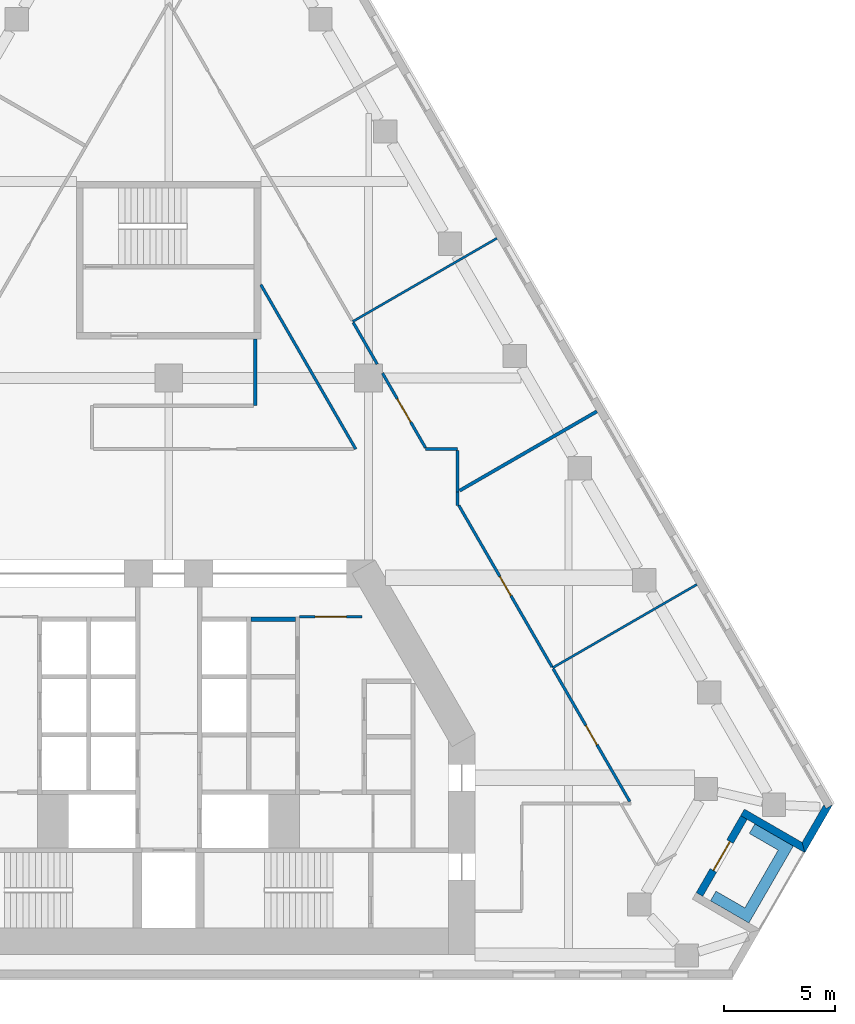
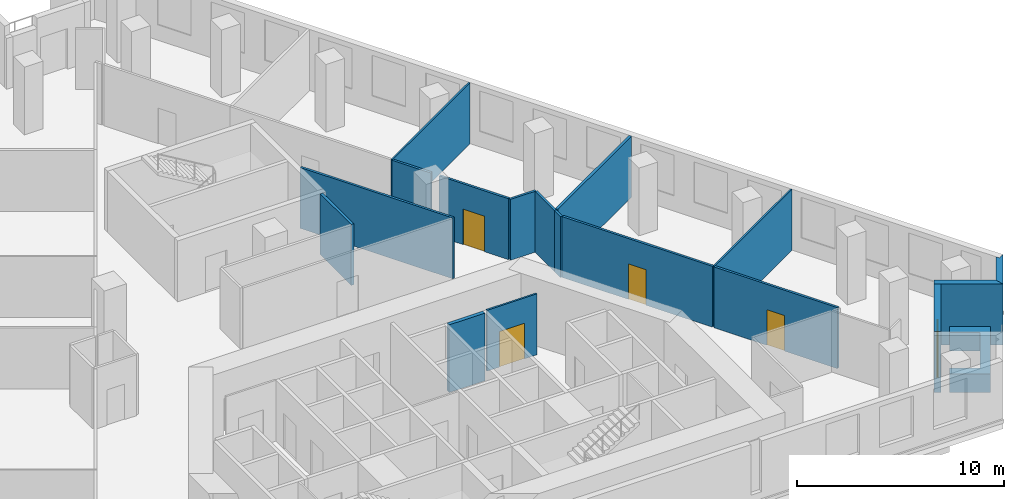
# One storey, part 7 of 10: 18 walls, 5 doors, 5 openings.
"""IFC4 building model written with IfcOpenShell, lengths in metres."""

from ifc_helpers import new_model, si_unit, direction, frame, frame_2d, origin, place, context, subcontext, project, spatial, polyline, rectangle, outline, extrude, material, layer, layer_set, type_object, element, fill, save


model = new_model("IFC4")

# Units and contexts
model_context = context("Model", 3, precision=1e-05, world=origin(), true_north=direction((0.0, 1.0)))
body_context = subcontext(model_context, "Body", "Model", "MODEL_VIEW")
ifc_project = project(units=[si_unit("LENGTHUNIT", "METRE"), si_unit("AREAUNIT", "SQUARE_METRE"), si_unit("VOLUMEUNIT", "CUBIC_METRE"), si_unit("PLANEANGLEUNIT", "RADIAN"), si_unit("MASSUNIT", "GRAM", prefix="KILO")], contexts=[model_context])

# Site, building, storey
site_placement = place(None, origin())
site = spatial("IfcSite", under=ifc_project, at=site_placement, CompositionType="ELEMENT")
building_placement = place(site_placement, origin())
building = spatial("IfcBuilding", under=site, at=building_placement, Name="Fogline Exchange Tower", CompositionType="ELEMENT")
storey_placement = place(building_placement, frame((0.0, 0.0, 120.10009765625)))
storey = spatial("IfcBuildingStorey", under=building, at=storey_placement, Name="L26", CompositionType="ELEMENT", Elevation=120.10009765625)

# Wall, opening, door
ifc_material_1 = material(Name="Blockwork partition", Category="masonry")
ifc_layer_1 = layer(ifc_material_1, 0.10009765625)
ifc_layer_set_1 = layer_set([ifc_layer_1], Name="CW10")
wall_type_1 = type_object("IfcWallType", Name="CW10", PredefinedType="PARTITIONING", material=ifc_layer_set_1)
wall_1_placement = place(storey_placement, frame((5.89990234375, 16.25, 0.0), z_axis=(0.0, 0.0, 1.0), x_axis=(1.0, 0.0, 0.0)))
wall_1 = element("IfcWall", 1, at=wall_1_placement, inside=storey, type_object=wall_type_1, Name="Lift lobby partition", PredefinedType="PARTITIONING", context=body_context, shape_type="SweptSolid", body=[
    extrude(rectangle(XDim=2.800048828125, YDim=0.10009765625, at=frame_2d((1.39990234375, 0.0))), origin(), (0.0, 0.0, 1.0), 3.599853515625),
])
opening_1_placement = place(wall_1_placement, frame((0.699951171875, 0.0, 0.0)))
opening_1 = element("IfcOpeningElement", 2, at=opening_1_placement, cuts=wall_1, Name="Opening T08-C013", PredefinedType="OPENING", context=body_context, shape_type="SweptSolid", body=[
    extrude(rectangle(XDim=1.39990234375, YDim=2.10009765625, at=frame_2d((0.699951171875, 1.050048828125))), frame((0.0, 0.06005859375, 0.0), z_axis=(0.0, -1.0, 0.0), x_axis=(1.0, 0.0, 0.0)), (0.0, 0.0, 1.0), 0.1201171875),
])
ifc_material_2 = material(Name="Steel and timber fire door", Category="steel")
door_type_1 = type_object("IfcDoorType", Name="D-LB1", OperationType="DOUBLE_DOOR_SINGLE_SWING", PredefinedType="DOOR", material=ifc_material_2)
door_1_placement = place(opening_1_placement, origin())
door_1 = element("IfcDoor", 3, at=door_1_placement, inside=storey, type_object=door_type_1, Name="Door to lift lobby", OperationType="DOUBLE_DOOR_SINGLE_SWING", OverallHeight=2.10009765625, OverallWidth=1.39990234375, PredefinedType="DOOR", context=body_context, shape_type="SweptSolid", body=[
    extrude(rectangle(XDim=1.39990234375, YDim=2.10009765625, at=frame_2d((0.699951171875, 1.050048828125))), frame((0.0, 0.02490234375, 0.0), z_axis=(0.0, -1.0, 0.0), x_axis=(1.0, 0.0, 0.0)), (0.0, 0.0, 1.0), 0.050048828125),
])
fill(opening_1, door_1)

# Wall
ifc_material_3 = material(Name="Concrete C40", Category="concrete")
ifc_layer_2 = layer(ifc_material_3, 0.199951171875)
ifc_layer_set_2 = layer_set([ifc_layer_2], Name="CW20S")
wall_type_2 = type_object("IfcWallType", Name="CW20S", PredefinedType="SOLIDWALL", material=ifc_layer_set_2)
wall_2_placement = place(storey_placement, frame((3.699951171875, 16.14990234375, -0.400146484375), z_axis=(0.0, 0.0, 1.0), x_axis=(1.0, 0.0, 0.0)))
element("IfcWall", 4, at=wall_2_placement, inside=storey, type_object=wall_type_2, Name="Lift shaft wall", PredefinedType="SOLIDWALL", context=body_context, shape_type="SweptSolid", body=[
    extrude(rectangle(XDim=2.0, YDim=0.199951171875, at=frame_2d((1.0, 0.0))), origin(), (0.0, 0.0, 1.0), 4.0),
])

# Wall, opening, door
ifc_material_4 = material(Name="Brick masonry", Category="masonry")
ifc_layer_3 = layer(ifc_material_4, 0.340087890625)
ifc_layer_set_3 = layer_set([ifc_layer_3], Name="FW1")
wall_type_3 = type_object("IfcWallType", Name="FW1", PredefinedType="SOLIDWALL", material=ifc_layer_set_3)
wall_3_placement = place(storey_placement, frame((23.89794921875, 3.75, 0.0), z_axis=(0.0, 0.0, 1.0), x_axis=(0.49999894854, 0.866026010844, 0.0)))
wall_3 = element("IfcWall", 5, at=wall_3_placement, inside=storey, type_object=wall_type_3, Name="Brick wall L26 SE-bk", PredefinedType="SOLIDWALL", context=body_context, shape_type="SweptSolid", body=[
    extrude(rectangle(XDim=4.0, YDim=0.340087890625, at=frame_2d((2.0, 0.0))), origin(), (0.0, 0.0, 1.0), 3.599853515625),
])
opening_2_placement = place(wall_3_placement, frame((1.25, 0.0, 0.0)))
opening_2 = element("IfcOpeningElement", 6, at=opening_2_placement, cuts=wall_3, Name="Opening T08-E081", PredefinedType="OPENING", context=body_context, shape_type="SweptSolid", body=[
    extrude(rectangle(XDim=1.5, YDim=2.39990234375, at=frame_2d((0.75, 1.199951171875))), frame((0.0, 0.18017578125, 0.0), z_axis=(0.0, -1.0, 0.0), x_axis=(1.0, 0.0, 0.0)), (0.0, 0.0, 1.0), 0.360107421875),
])
ifc_material_5 = material(Name="Aluminium and glass", Category="aluminium")
door_type_2 = type_object("IfcDoorType", Name="ED4", OperationType="SINGLE_SWING_LEFT", PredefinedType="DOOR", material=ifc_material_5)
door_2_placement = place(opening_2_placement, frame((1.5, 0.0, 0.0), z_axis=(0.0, 0.0, 1.0), x_axis=(-1.0, 0.0, 0.0)))
door_2 = element("IfcDoor", 7, at=door_2_placement, inside=storey, type_object=door_type_2, Name="Balcony door L26 SE", OperationType="DOUBLE_DOOR_SINGLE_SWING", OverallHeight=2.39990234375, OverallWidth=1.5, PredefinedType="DOOR", context=body_context, shape_type="SweptSolid", body=[
    extrude(rectangle(XDim=1.5, YDim=2.39990234375, at=frame_2d((0.75, 1.199951171875))), frame((0.0, 0.02490234375, 0.0), z_axis=(0.0, -1.0, 0.0), x_axis=(1.0, 0.0, 0.0)), (0.0, 0.0, 1.0), 0.050048828125),
])
fill(opening_2, door_2)

# Walls
wall_4_placement = place(storey_placement, origin())
element("IfcWall", 8, at=wall_4_placement, inside=storey, type_object=wall_type_3, Name="Brick wall L26 SE-s2", PredefinedType="SOLIDWALL", context=body_context, shape_type="SweptSolid", body=[
    extrude(outline(polyline([(28.643798828125, 5.628173828125), (26.044921875, 7.128662109375), (25.75, 7.298828125), (25.92041015625, 7.594482421875), (28.519287109375, 6.093994140625), (28.64404296875, 5.62841796875), (28.643798828125, 5.628173828125)])), origin(), (0.0, 0.0, 1.0), 3.599853515625),
])
wall_5_placement = place(storey_placement, origin())
element("IfcWall", 9, at=wall_5_placement, inside=storey, type_object=wall_type_3, Name="Brick wall L26 SE-c2", PredefinedType="SOLIDWALL", context=body_context, shape_type="SweptSolid", body=[
    extrude(outline(polyline([(29.500732421875, 7.79541015625), (29.59912109375, 7.625), (29.893798828125, 7.79541015625), (29.894287109375, 7.794921875), (28.643310546875, 5.6279296875), (28.64306640625, 5.6279296875), (28.51806640625, 6.09375), (29.500732421875, 7.79541015625)])), origin(), (0.0, 0.0, 1.0), 3.599853515625),
])
ifc_material_6 = material(Name="Concrete C30", Category="concrete")
ifc_layer_4 = layer(ifc_material_6, 0.199951171875)
ifc_layer_set_4 = layer_set([ifc_layer_4], Name="PL1")
wall_type_4 = type_object("IfcWallType", Name="PL1", PredefinedType="USERDEFINED", material=ifc_layer_set_4)
wall_6_placement = place(storey_placement, origin())
element("IfcWall", 10, at=wall_6_placement, inside=storey, type_object=wall_type_4, Name="PLANTER balcony L26 SE", ObjectType="PLANTER", PredefinedType="USERDEFINED", context=body_context, shape_type="SweptSolid", body=[
    extrude(outline(polyline([(24.3916015625, 3.465087890625), (25.690673828125, 2.715087890625), (25.690673828125, 2.715087890625), (26.12353515625, 2.465087890625), (27.87353515625, 5.49609375), (28.12353515625, 5.92919921875), (26.3916015625, 6.92919921875), (26.1416015625, 6.49609375), (27.440673828125, 5.74609375), (25.940673828125, 3.148193359375), (24.6416015625, 3.898193359375), (24.3916015625, 3.465087890625)])), origin(), (0.0, 0.0, 1.0), 1.099853515625),
])
ifc_material_7 = material(Name="Plasterboard partition, 2 layers each side on steel studs", Category="steel")
ifc_layer_5 = layer(ifc_material_7, 0.10009765625)
ifc_layer_set_5 = layer_set([ifc_layer_5], Name="PW1")
wall_type_5 = type_object("IfcWallType", Name="PW1", PredefinedType="PARTITIONING", material=ifc_layer_set_5)
for number, where, z_axis, x_axis, name in (
    (11, (8.2841796875, 29.54248046875, 0.0), (0.0, 0.0, 1.0), (0.866022959057, 0.500004234368, 0.0), "wall-L26-W034"),
    (12, (17.2841796875, 13.9541015625, 0.0), (0.0, 0.0, 1.0), (0.866022959057, 0.500004234368, 0.0), "wall-L26-W049"),
):
    element("IfcWall", number, at=place(storey_placement, frame(where, z_axis=z_axis, x_axis=x_axis)), inside=storey, type_object=wall_type_5, Name=name, PredefinedType="PARTITIONING", context=body_context, shape_type="SweptSolid", body=[
        extrude(rectangle(XDim=7.5, YDim=0.10009765625, at=frame_2d((3.75, 0.0))), origin(), (0.0, 0.0, 1.0), 3.599853515625),
    ])
ifc_material_8 = material(Name="Plasterboard corridor partition with mineral wool, 2 layers each side")
ifc_layer_6 = layer(ifc_material_8, 0.125)
ifc_layer_set_6 = layer_set([ifc_layer_6], Name="PW2")
wall_type_6 = type_object("IfcWallType", Name="PW2", PredefinedType="PARTITIONING", material=ifc_layer_set_6)
wall_7_placement = place(storey_placement, frame((11.562744140625, 23.800048828125, 0.0), z_axis=(0.0, 0.0, 1.0), x_axis=(1.0, 0.0, 0.0)))
element("IfcWall", 13, at=wall_7_placement, inside=storey, type_object=wall_type_6, Name="wall-L26-W003", PredefinedType="PARTITIONING", context=body_context, shape_type="SweptSolid", body=[
    extrude(rectangle(XDim=1.437255859375, YDim=0.125, at=frame_2d((0.71875, 0.0))), origin(), (0.0, 0.0, 1.0), 3.599853515625),
])
wall_8_placement = place(storey_placement, frame((13.0, 23.737548828125, 0.0), z_axis=(0.0, 0.0, 1.0), x_axis=(0.0, -1.0, 0.0)))
element("IfcWall", 14, at=wall_8_placement, inside=storey, type_object=wall_type_6, Name="wall-L26-W004", PredefinedType="PARTITIONING", context=body_context, shape_type="SweptSolid", body=[
    extrude(rectangle(XDim=1.86474609375, YDim=0.125, at=frame_2d((0.932373046875, 0.0))), origin(), (0.0, 0.0, 1.0), 3.599853515625),
])
wall_9_placement = place(storey_placement, frame((13.0, 21.872802734375, 0.0), z_axis=(0.0, 0.0, 1.0), x_axis=(0.0, -1.0, 0.0)))
element("IfcWall", 15, at=wall_9_placement, inside=storey, type_object=wall_type_6, Name="wall-L26-W008", PredefinedType="PARTITIONING", context=body_context, shape_type="SweptSolid", body=[
    extrude(rectangle(XDim=0.607177734375, YDim=0.125, at=frame_2d((0.3037109375, 0.0))), origin(), (0.0, 0.0, 1.0), 3.599853515625),
])
wall_10_placement = place(storey_placement, frame((8.309326171875, 29.498779296875, 0.0), z_axis=(0.0, 0.0, 1.0), x_axis=(0.499986178718, -0.866033383358, 0.0)))
element("IfcWall", 16, at=wall_10_placement, inside=storey, type_object=wall_type_6, Name="wall-L26-W011", PredefinedType="PARTITIONING", context=body_context, shape_type="SweptSolid", body=[
    extrude(rectangle(XDim=2.16357421875, YDim=0.125, at=frame_2d((1.081787109375, 0.0))), origin(), (0.0, 0.0, 1.0), 3.599853515625),
])

# Wall, opening, door
wall_11_placement = place(storey_placement, frame((9.625, 27.219970703125, 0.0), z_axis=(0.0, 0.0, 1.0), x_axis=(0.500013181875, -0.866017793092, 0.0)))
wall_11 = element("IfcWall", 17, at=wall_11_placement, inside=storey, type_object=wall_type_6, Name="wall-L26-W012", PredefinedType="PARTITIONING", context=body_context, shape_type="SweptSolid", body=[
    extrude(rectangle(XDim=3.876953125, YDim=0.125, at=frame_2d((1.9384765625, 0.0))), origin(), (0.0, 0.0, 1.0), 3.599853515625),
])
opening_3_placement = place(wall_11_placement, frame((1.33837890625, 0.0, 0.0)))
opening_3 = element("IfcOpeningElement", 18, at=opening_3_placement, cuts=wall_11, Name="Opening T08-D005", PredefinedType="OPENING", context=body_context, shape_type="SweptSolid", body=[
    extrude(rectangle(XDim=1.199951171875, YDim=2.10009765625, at=frame_2d((0.60009765625, 1.050048828125))), frame((0.0, 0.072509765625, 0.0), z_axis=(0.0, -1.0, 0.0), x_axis=(1.0, 0.0, 0.0)), (0.0, 0.0, 1.0), 0.14501953125),
])
ifc_material_9 = material(Name="Fire-rated glazed door leaf with steel frame", Category="steel")
door_type_3 = type_object("IfcDoorType", Name="D5", OperationType="SINGLE_SWING_LEFT", PredefinedType="DOOR", material=ifc_material_9)
door_3_placement = place(opening_3_placement, origin())
door_3 = element("IfcDoor", 19, at=door_3_placement, inside=storey, type_object=door_type_3, Name="door-L26-D005", OperationType="SINGLE_SWING_RIGHT", OverallHeight=2.10009765625, OverallWidth=1.199951171875, PredefinedType="DOOR", context=body_context, shape_type="SweptSolid", body=[
    extrude(rectangle(XDim=1.199951171875, YDim=2.10009765625, at=frame_2d((0.60009765625, 1.050048828125))), frame((0.0, 0.02490234375, 0.0), z_axis=(0.0, -1.0, 0.0), x_axis=(1.0, 0.0, 0.0)), (0.0, 0.0, 1.0), 0.050048828125),
])
fill(opening_3, door_3)

# Wall
wall_12_placement = place(storey_placement, frame((8.424072265625, 23.800048828125, 0.0), z_axis=(0.0, 0.0, 1.0), x_axis=(-0.500012533912, 0.866018167206, 0.0)))
element("IfcWall", 20, at=wall_12_placement, inside=storey, type_object=wall_type_6, Name="wall-L26-W014", PredefinedType="PARTITIONING", context=body_context, shape_type="SweptSolid", body=[
    extrude(rectangle(XDim=8.548095703125, YDim=0.125, at=frame_2d((4.27392578125, 0.0))), origin(), (0.0, 0.0, 1.0), 3.599853515625),
])

# Wall, opening, door
wall_13_placement = place(storey_placement, frame((17.309326171875, 13.910400390625, 0.0), z_axis=(0.0, 0.0, 1.0), x_axis=(0.499974600225, -0.866040067854, 0.0)))
wall_13 = element("IfcWall", 21, at=wall_13_placement, inside=storey, type_object=wall_type_6, Name="wall-L26-W030", PredefinedType="PARTITIONING", context=body_context, shape_type="SweptSolid", body=[
    extrude(rectangle(XDim=6.900634765625, YDim=0.125, at=frame_2d((3.4501953125, 0.0))), origin(), (0.0, 0.0, 1.0), 3.599853515625),
])
opening_4_placement = place(wall_13_placement, frame((2.9501953125, 0.0, 0.0)))
opening_4 = element("IfcOpeningElement", 22, at=opening_4_placement, cuts=wall_13, Name="Opening T08-D013", PredefinedType="OPENING", context=body_context, shape_type="SweptSolid", body=[
    extrude(rectangle(XDim=1.0, YDim=2.10009765625, at=frame_2d((0.5, 1.050048828125))), frame((0.0, 0.072509765625, 0.0), z_axis=(0.0, -1.0, 0.0), x_axis=(1.0, 0.0, 0.0)), (0.0, 0.0, 1.0), 0.14501953125),
])
ifc_material_10 = material(Name="Fire-rated timber door leaf with steel frame", Category="steel")
door_type_4 = type_object("IfcDoorType", Name="D3", OperationType="SINGLE_SWING_LEFT", PredefinedType="DOOR", material=ifc_material_10)
door_4_placement = place(opening_4_placement, origin())
door_4 = element("IfcDoor", 23, at=door_4_placement, inside=storey, type_object=door_type_4, Name="door-L26-D013", OperationType="SINGLE_SWING_LEFT", OverallHeight=2.10009765625, OverallWidth=1.0, PredefinedType="DOOR", context=body_context, shape_type="SweptSolid", body=[
    extrude(rectangle(XDim=1.0, YDim=2.10009765625, at=frame_2d((0.5, 1.050048828125))), frame((0.0, 0.02490234375, 0.0), z_axis=(0.0, -1.0, 0.0), x_axis=(1.0, 0.0, 0.0)), (0.0, 0.0, 1.0), 0.050048828125),
])
fill(opening_4, door_4)

wall_14_placement = place(storey_placement, frame((13.0625, 21.265869140625, 0.0), z_axis=(0.0, 0.0, 1.0), x_axis=(0.50000616322, -0.866021845419, 0.0)))
wall_14 = element("IfcWall", 24, at=wall_14_placement, inside=storey, type_object=wall_type_6, Name="wall-L26-W032", PredefinedType="PARTITIONING", context=body_context, shape_type="SweptSolid", body=[
    extrude(rectangle(XDim=8.392578125, YDim=0.125, at=frame_2d((4.1962890625, 0.0))), origin(), (0.0, 0.0, 1.0), 3.599853515625),
])
opening_5_placement = place(wall_14_placement, frame((3.6962890625, 0.0, 0.0)))
opening_5 = element("IfcOpeningElement", 25, at=opening_5_placement, cuts=wall_14, Name="Opening T08-D014", PredefinedType="OPENING", context=body_context, shape_type="SweptSolid", body=[
    extrude(rectangle(XDim=1.0, YDim=2.10009765625, at=frame_2d((0.5, 1.050048828125))), frame((0.0, 0.072509765625, 0.0), z_axis=(0.0, -1.0, 0.0), x_axis=(1.0, 0.0, 0.0)), (0.0, 0.0, 1.0), 0.14501953125),
])
door_5_placement = place(opening_5_placement, origin())
door_5 = element("IfcDoor", 26, at=door_5_placement, inside=storey, type_object=door_type_4, Name="door-L26-D014", OperationType="SINGLE_SWING_LEFT", OverallHeight=2.10009765625, OverallWidth=1.0, PredefinedType="DOOR", context=body_context, shape_type="SweptSolid", body=[
    extrude(rectangle(XDim=1.0, YDim=2.10009765625, at=frame_2d((0.5, 1.050048828125))), frame((0.0, 0.02490234375, 0.0), z_axis=(0.0, -1.0, 0.0), x_axis=(1.0, 0.0, 0.0)), (0.0, 0.0, 1.0), 0.050048828125),
])
fill(opening_5, door_5)

# Walls
ifc_material_11 = material(Name="Plasterboard demising partition with mineral wool and acoustic board")
ifc_layer_7 = layer(ifc_material_11, 0.14990234375)
ifc_layer_set_7 = layer_set([ifc_layer_7], Name="PW3")
wall_type_7 = type_object("IfcWallType", Name="PW3", PredefinedType="PARTITIONING", material=ifc_layer_set_7)
wall_15_placement = place(storey_placement, frame((19.279296875, 25.498291015625, 0.0), z_axis=(0.0, 0.0, 1.0), x_axis=(-0.866027744296, -0.499995946093, 0.0)))
element("IfcWall", 27, at=wall_15_placement, inside=storey, type_object=wall_type_7, Name="wall-L26-W035", PredefinedType="PARTITIONING", context=body_context, shape_type="SweptSolid", body=[
    extrude(rectangle(XDim=7.134765625, YDim=0.14990234375, at=frame_2d((3.5673828125, 0.0))), origin(), (0.0, 0.0, 1.0), 3.599853515625),
])
ifc_material_12 = material(Name="Plasterboard stair lobby partition, 3 layers each side on steel studs", Category="steel")
ifc_layer_8 = layer(ifc_material_12, 0.14990234375)
ifc_layer_set_8 = layer_set([ifc_layer_8], Name="PW4")
wall_type_8 = type_object("IfcWallType", Name="PW4", PredefinedType="PARTITIONING", material=ifc_layer_set_8)
wall_16_placement = place(storey_placement, frame((3.89990234375, 28.757080078125, 0.0), z_axis=(0.0, 0.0, 1.0), x_axis=(0.0, -1.0, 0.0)))
element("IfcWall", 28, at=wall_16_placement, inside=storey, type_object=wall_type_8, Name="wall-L26-W023", PredefinedType="PARTITIONING", context=body_context, shape_type="SweptSolid", body=[
    extrude(rectangle(XDim=3.0, YDim=0.14990234375, at=frame_2d((1.5, 0.0))), origin(), (0.0, 0.0, 1.0), 3.599853515625),
])

save(model, "model.ifc")
